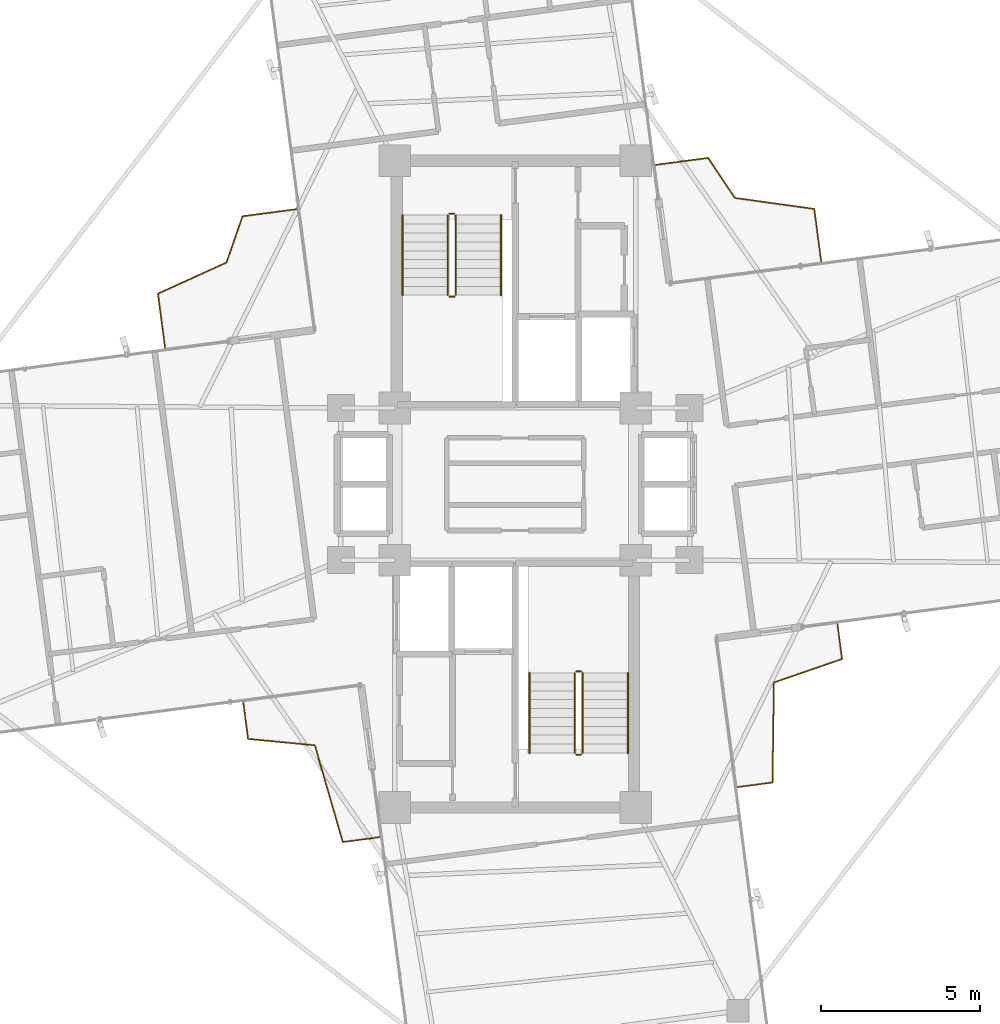
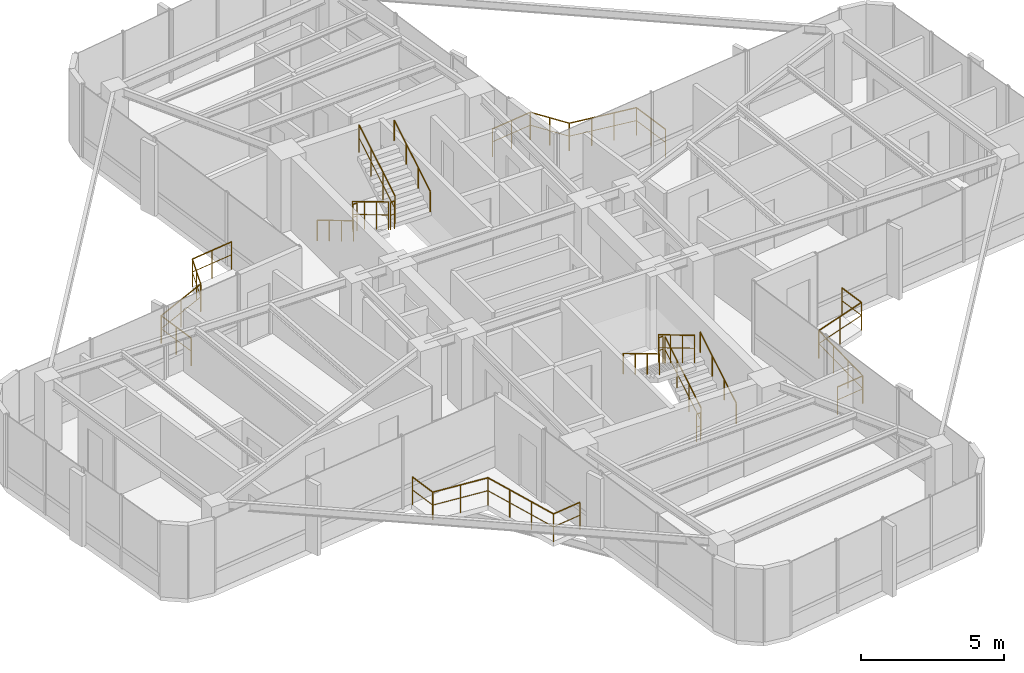
# One storey, part 21 of 21: 16 railings.
"""IFC4 building model written with IfcOpenShell, lengths in metres."""

from ifc_helpers import new_model, si_unit, direction, frame, origin, origin_2d, place, context, subcontext, project, spatial, circle, extrude, material, type_object, element, save


model = new_model("IFC4")

# Units and contexts
model_context = context("Model", 3, precision=1e-05, world=origin(), true_north=direction((0.0, 1.0)))
body_context = subcontext(model_context, "Body", "Model", "MODEL_VIEW")
ifc_project = project(units=[si_unit("LENGTHUNIT", "METRE"), si_unit("AREAUNIT", "SQUARE_METRE"), si_unit("VOLUMEUNIT", "CUBIC_METRE"), si_unit("PLANEANGLEUNIT", "RADIAN"), si_unit("MASSUNIT", "GRAM", prefix="KILO")], contexts=[model_context])

# Site, building, storey
site_placement = place(None, origin())
site = spatial("IfcSite", under=ifc_project, at=site_placement, CompositionType="ELEMENT")
building_placement = place(site_placement, origin())
building = spatial("IfcBuilding", under=site, at=building_placement, Name="Sahyath Konkavel Grand Hotel", CompositionType="ELEMENT")
storey_placement = place(building_placement, frame((0.0, 0.0, 219.89990234375)))
storey = spatial("IfcBuildingStorey", under=building, at=storey_placement, Name="L61", CompositionType="ELEMENT", Elevation=219.89990234375)

# Railings
ifc_material_1 = material(Name="Anodised Bronze Aluminium", Category="aluminium")
railing_type_1 = type_object("IfcRailingType", Name="RLG-BALC-1200", PredefinedType="GUARDRAIL", material=ifc_material_1)
railing_1_placement = place(storey_placement, frame((9.650390625, 7.025634765625, 0.0)))
element("IfcRailing", 1, at=railing_1_placement, inside=storey, type_object=railing_type_1, Name="L61 Winter-Garden Guard NE", PredefinedType="GUARDRAIL", context=body_context, shape_type="SweptSolid", body=[
    extrude(circle(Radius=0.02392578125, at=origin_2d()), frame((-0.000244140625, 0.001953125, 1.17578125), z_axis=(-0.130496140624, 0.991448817278, 0.0), x_axis=(-0.991448817278, -0.130496140624, 0.0)), (0.0, 0.0, 1.0), 1.664794921875),
    extrude(circle(Radius=0.01416015625, at=origin_2d()), frame((-0.000244140625, 0.001953125, 0.6240234375), z_axis=(-0.130496140624, 0.991448817278, 0.0), x_axis=(-0.991448817278, -0.130496140624, 0.0)), (0.0, 0.0, 1.0), 1.664794921875),
    extrude(circle(Radius=0.02392578125, at=origin_2d()), frame((-0.2197265625, 1.65478515625, 1.17578125), z_axis=(-0.990465946821, 0.13775778812, 0.0), x_axis=(-0.13775778812, -0.990465946821, 0.0)), (0.0, 0.0, 1.0), 2.52490234375),
    extrude(circle(Radius=0.01416015625, at=origin_2d()), frame((-0.2197265625, 1.65478515625, 0.6240234375), z_axis=(-0.990465946821, 0.13775778812, 0.0), x_axis=(-0.13775778812, -0.990465946821, 0.0)), (0.0, 0.0, 1.0), 2.52490234375),
    extrude(circle(Radius=0.02392578125, at=origin_2d()), frame((-2.723876953125, 2.004638671875, 1.17578125), z_axis=(-0.556370379602, 0.830934414199, 0.0), x_axis=(-0.830934414199, -0.556370379602, 0.0)), (0.0, 0.0, 1.0), 1.512939453125),
    extrude(circle(Radius=0.01416015625, at=origin_2d()), frame((-2.723876953125, 2.004638671875, 0.6240234375), z_axis=(-0.556370379602, 0.830934414199, 0.0), x_axis=(-0.830934414199, -0.556370379602, 0.0)), (0.0, 0.0, 1.0), 1.512939453125),
    extrude(circle(Radius=0.02392578125, at=origin_2d()), frame((-3.568603515625, 3.26318359375, 1.17578125), z_axis=(-0.991448817278, -0.130496140624, 0.0), x_axis=(0.130496140624, -0.991448817278, 0.0)), (0.0, 0.0, 1.0), 1.664794921875),
    extrude(circle(Radius=0.01416015625, at=origin_2d()), frame((-3.568603515625, 3.26318359375, 0.6240234375), z_axis=(-0.991448817278, -0.130496140624, 0.0), x_axis=(0.130496140624, -0.991448817278, 0.0)), (0.0, 0.0, 1.0), 1.664794921875),
    extrude(circle(Radius=0.02099609375, at=origin_2d()), origin(), (0.0, 0.0, 1.0), 1.15185546875),
    extrude(circle(Radius=0.02099609375, at=origin_2d()), frame((-0.10888671875, 0.8271484375, 0.0)), (0.0, 0.0, 1.0), 1.15185546875),
    extrude(circle(Radius=0.02099609375, at=origin_2d()), frame((-0.2177734375, 1.654541015625, 0.0)), (0.0, 0.0, 1.0), 1.15185546875),
    extrude(circle(Radius=0.02099609375, at=origin_2d()), frame((-1.052734375, 1.770751953125, 0.0)), (0.0, 0.0, 1.0), 1.15185546875),
    extrude(circle(Radius=0.02099609375, at=origin_2d()), frame((-1.8876953125, 1.88671875, 0.0)), (0.0, 0.0, 1.0), 1.15185546875),
    extrude(circle(Radius=0.02099609375, at=origin_2d()), frame((-2.72265625, 2.0029296875, 0.0)), (0.0, 0.0, 1.0), 1.15185546875),
    extrude(circle(Radius=0.02099609375, at=origin_2d()), frame((-3.14453125, 2.63330078125, 0.0)), (0.0, 0.0, 1.0), 1.15185546875),
    extrude(circle(Radius=0.02099609375, at=origin_2d()), frame((-3.566650390625, 3.263427734375, 0.0)), (0.0, 0.0, 1.0), 1.15185546875),
    extrude(circle(Radius=0.02099609375, at=origin_2d()), frame((-4.39404296875, 3.154541015625, 0.0)), (0.0, 0.0, 1.0), 1.15185546875),
    extrude(circle(Radius=0.02099609375, at=origin_2d()), frame((-5.22119140625, 3.045654296875, 0.0)), (0.0, 0.0, 1.0), 1.15185546875),
])
railing_2_placement = place(storey_placement, frame((-6.897216796875, 8.674072265625, 0.0)))
element("IfcRailing", 2, at=railing_2_placement, inside=storey, type_object=railing_type_1, Name="L61 Winter-Garden Guard NW", PredefinedType="GUARDRAIL", context=body_context, shape_type="SweptSolid", body=[
    extrude(circle(Radius=0.02392578125, at=origin_2d()), frame((-0.001953125, -0.000244140625, 1.17578125), z_axis=(-0.991431107299, -0.130630622292, 0.0), x_axis=(0.130630622292, -0.991431107299, 0.0)), (0.0, 0.0, 1.0), 1.71728515625),
    extrude(circle(Radius=0.01416015625, at=origin_2d()), frame((-0.001953125, -0.000244140625, 0.6240234375), z_axis=(-0.991431107299, -0.130630622292, 0.0), x_axis=(0.130630622292, -0.991431107299, 0.0)), (0.0, 0.0, 1.0), 1.71728515625),
    extrude(circle(Radius=0.02392578125, at=origin_2d()), frame((-1.707275390625, -0.226806640625, 1.17578125), z_axis=(-0.328109681789, -0.944639633255, 0.0), x_axis=(0.944639633255, -0.328109681789, 0.0)), (0.0, 0.0, 1.0), 1.5400390625),
    extrude(circle(Radius=0.01416015625, at=origin_2d()), frame((-1.707275390625, -0.226806640625, 0.6240234375), z_axis=(-0.328109681789, -0.944639633255, 0.0), x_axis=(0.944639633255, -0.328109681789, 0.0)), (0.0, 0.0, 1.0), 1.5400390625),
    extrude(circle(Radius=0.02392578125, at=origin_2d()), frame((-2.21484375, -1.68408203125, 1.17578125), z_axis=(-0.910267890255, -0.414019767609, 0.0), x_axis=(0.414019767609, -0.910267890255, 0.0)), (0.0, 0.0, 1.0), 2.371337890625),
    extrude(circle(Radius=0.01416015625, at=origin_2d()), frame((-2.21484375, -1.68408203125, 0.6240234375), z_axis=(-0.910267890255, -0.414019767609, 0.0), x_axis=(0.414019767609, -0.910267890255, 0.0)), (0.0, 0.0, 1.0), 2.371337890625),
    extrude(circle(Radius=0.02392578125, at=origin_2d()), frame((-4.375, -2.668701171875, 1.17578125), z_axis=(0.130491203115, -0.991449467149, 0.0), x_axis=(0.991449467149, 0.130491203115, 0.0)), (0.0, 0.0, 1.0), 1.71728515625),
    extrude(circle(Radius=0.01416015625, at=origin_2d()), frame((-4.375, -2.668701171875, 0.6240234375), z_axis=(0.130491203115, -0.991449467149, 0.0), x_axis=(0.991449467149, 0.130491203115, 0.0)), (0.0, 0.0, 1.0), 1.71728515625),
    extrude(circle(Radius=0.02099609375, at=origin_2d()), origin(), (0.0, 0.0, 1.0), 1.15185546875),
    extrude(circle(Radius=0.02099609375, at=origin_2d()), frame((-0.853271484375, -0.1123046875, 0.0)), (0.0, 0.0, 1.0), 1.15185546875),
    extrude(circle(Radius=0.02099609375, at=origin_2d()), frame((-1.70654296875, -0.224853515625, 0.0)), (0.0, 0.0, 1.0), 1.15185546875),
    extrude(circle(Radius=0.02099609375, at=origin_2d()), frame((-1.9599609375, -0.9541015625, 0.0)), (0.0, 0.0, 1.0), 1.15185546875),
    extrude(circle(Radius=0.02099609375, at=origin_2d()), frame((-2.213134765625, -1.683349609375, 0.0)), (0.0, 0.0, 1.0), 1.15185546875),
    extrude(circle(Radius=0.02099609375, at=origin_2d()), frame((-3.294189453125, -2.175048828125, 0.0)), (0.0, 0.0, 1.0), 1.15185546875),
    extrude(circle(Radius=0.02099609375, at=origin_2d()), frame((-4.375244140625, -2.666748046875, 0.0)), (0.0, 0.0, 1.0), 1.15185546875),
    extrude(circle(Radius=0.02099609375, at=origin_2d()), frame((-4.262939453125, -3.52001953125, 0.0)), (0.0, 0.0, 1.0), 1.15185546875),
    extrude(circle(Radius=0.02099609375, at=origin_2d()), frame((-4.150634765625, -4.373291015625, 0.0)), (0.0, 0.0, 1.0), 1.15185546875),
])
railing_3_placement = place(storey_placement, frame((-8.581787109375, -6.885009765625, 0.0)))
element("IfcRailing", 3, at=railing_3_placement, inside=storey, type_object=railing_type_1, Name="L61 Winter-Garden Guard SW", PredefinedType="GUARDRAIL", context=body_context, shape_type="SweptSolid", body=[
    extrude(circle(Radius=0.02392578125, at=origin_2d()), frame((0.000244140625, -0.001953125, 1.17578125), z_axis=(0.130541376023, -0.99144286227, 0.0), x_axis=(0.99144286227, 0.130541376023, 0.0)), (0.0, 0.0, 1.0), 1.1591796875),
    extrude(circle(Radius=0.01416015625, at=origin_2d()), frame((0.000244140625, -0.001953125, 0.6240234375), z_axis=(0.130541376023, -0.99144286227, 0.0), x_axis=(0.99144286227, 0.130541376023, 0.0)), (0.0, 0.0, 1.0), 1.1591796875),
    extrude(circle(Radius=0.02392578125, at=origin_2d()), frame((0.15380859375, -1.153564453125, 1.17578125), z_axis=(0.995404800606, -0.095756372798, 0.0), x_axis=(0.095756372798, 0.995404800606, 0.0)), (0.0, 0.0, 1.0), 2.112060546875),
    extrude(circle(Radius=0.01416015625, at=origin_2d()), frame((0.15380859375, -1.153564453125, 0.6240234375), z_axis=(0.995404800606, -0.095756372798, 0.0), x_axis=(0.095756372798, 0.995404800606, 0.0)), (0.0, 0.0, 1.0), 2.112060546875),
    extrude(circle(Radius=0.02392578125, at=origin_2d()), frame((2.2587890625, -1.35791015625, 1.17578125), z_axis=(0.277593261207, -0.960698694353, 0.0), x_axis=(0.960698694353, 0.277593261207, 0.0)), (0.0, 0.0, 1.0), 3.171875),
    extrude(circle(Radius=0.01416015625, at=origin_2d()), frame((2.2587890625, -1.35791015625, 0.6240234375), z_axis=(0.277593261207, -0.960698694353, 0.0), x_axis=(0.960698694353, 0.277593261207, 0.0)), (0.0, 0.0, 1.0), 3.171875),
    extrude(circle(Radius=0.02392578125, at=origin_2d()), frame((3.141845703125, -4.40673828125, 1.17578125), z_axis=(0.99144286227, 0.130541376023, 0.0), x_axis=(-0.130541376023, 0.99144286227, 0.0)), (0.0, 0.0, 1.0), 1.1591796875),
    extrude(circle(Radius=0.01416015625, at=origin_2d()), frame((3.141845703125, -4.40673828125, 0.6240234375), z_axis=(0.99144286227, 0.130541376023, 0.0), x_axis=(-0.130541376023, 0.99144286227, 0.0)), (0.0, 0.0, 1.0), 1.1591796875),
    extrude(circle(Radius=0.02099609375, at=origin_2d()), origin(), (0.0, 0.0, 1.0), 1.15185546875),
    extrude(circle(Radius=0.02099609375, at=origin_2d()), frame((0.15185546875, -1.1533203125, 0.0)), (0.0, 0.0, 1.0), 1.15185546875),
    extrude(circle(Radius=0.02099609375, at=origin_2d()), frame((1.205078125, -1.254638671875, 0.0)), (0.0, 0.0, 1.0), 1.15185546875),
    extrude(circle(Radius=0.02099609375, at=origin_2d()), frame((2.25830078125, -1.35595703125, 0.0)), (0.0, 0.0, 1.0), 1.15185546875),
    extrude(circle(Radius=0.02099609375, at=origin_2d()), frame((2.55224609375, -2.373046875, 0.0)), (0.0, 0.0, 1.0), 1.15185546875),
    extrude(circle(Radius=0.02099609375, at=origin_2d()), frame((2.845947265625, -3.389892578125, 0.0)), (0.0, 0.0, 1.0), 1.15185546875),
    extrude(circle(Radius=0.02099609375, at=origin_2d()), frame((3.139892578125, -4.406982421875, 0.0)), (0.0, 0.0, 1.0), 1.15185546875),
    extrude(circle(Radius=0.02099609375, at=origin_2d()), frame((4.293212890625, -4.255126953125, 0.0)), (0.0, 0.0, 1.0), 1.15185546875),
])
railing_4_placement = place(storey_placement, frame((7.013671875, -9.558349609375, 0.0)))
element("IfcRailing", 4, at=railing_4_placement, inside=storey, type_object=railing_type_1, Name="L61 Winter-Garden Guard SE", PredefinedType="GUARDRAIL", context=body_context, shape_type="SweptSolid", body=[
    extrude(circle(Radius=0.02392578125, at=origin_2d()), frame((0.001953125, 0.000244140625, 1.17578125), z_axis=(0.991437826512, 0.130579616175, 0.0), x_axis=(-0.130579616175, 0.991437826512, 0.0)), (0.0, 0.0, 1.0), 1.106689453125),
    extrude(circle(Radius=0.01416015625, at=origin_2d()), frame((0.001953125, 0.000244140625, 0.6240234375), z_axis=(0.991437826512, 0.130579616175, 0.0), x_axis=(-0.130579616175, 0.991437826512, 0.0)), (0.0, 0.0, 1.0), 1.106689453125),
    extrude(circle(Radius=0.02392578125, at=origin_2d()), frame((1.10107421875, 0.14697265625, 1.17578125), z_axis=(0.014014420363, 0.999901793189, 0.0), x_axis=(-0.999901793189, 0.014014420363, 0.0)), (0.0, 0.0, 1.0), 3.149169921875),
    extrude(circle(Radius=0.01416015625, at=origin_2d()), frame((1.10107421875, 0.14697265625, 0.6240234375), z_axis=(0.014014420363, 0.999901793189, 0.0), x_axis=(-0.999901793189, 0.014014420363, 0.0)), (0.0, 0.0, 1.0), 3.149169921875),
    extrude(circle(Radius=0.02392578125, at=origin_2d()), frame((1.147216796875, 3.298583984375, 1.17578125), z_axis=(0.945247418664, 0.326354588613, 0.0), x_axis=(-0.326354588613, 0.945247418664, 0.0)), (0.0, 0.0, 1.0), 2.270263671875),
    extrude(circle(Radius=0.01416015625, at=origin_2d()), frame((1.147216796875, 3.298583984375, 0.6240234375), z_axis=(0.945247418664, 0.326354588613, 0.0), x_axis=(-0.326354588613, 0.945247418664, 0.0)), (0.0, 0.0, 1.0), 2.270263671875),
    extrude(circle(Radius=0.02392578125, at=origin_2d()), frame((3.294677734375, 4.0419921875, 1.17578125), z_axis=(-0.130551162655, 0.991441573634, 0.0), x_axis=(-0.991441573634, -0.130551162655, 0.0)), (0.0, 0.0, 1.0), 1.10693359375),
    extrude(circle(Radius=0.01416015625, at=origin_2d()), frame((3.294677734375, 4.0419921875, 0.6240234375), z_axis=(-0.130551162655, 0.991441573634, 0.0), x_axis=(-0.991441573634, -0.130551162655, 0.0)), (0.0, 0.0, 1.0), 1.10693359375),
    extrude(circle(Radius=0.02099609375, at=origin_2d()), origin(), (0.0, 0.0, 1.0), 1.15185546875),
    extrude(circle(Radius=0.02099609375, at=origin_2d()), frame((1.10107421875, 0.14501953125, 0.0)), (0.0, 0.0, 1.0), 1.15185546875),
    extrude(circle(Radius=0.02099609375, at=origin_2d()), frame((1.11572265625, 1.196044921875, 0.0)), (0.0, 0.0, 1.0), 1.15185546875),
    extrude(circle(Radius=0.02099609375, at=origin_2d()), frame((1.130615234375, 2.246826171875, 0.0)), (0.0, 0.0, 1.0), 1.15185546875),
    extrude(circle(Radius=0.02099609375, at=origin_2d()), frame((1.145263671875, 3.2978515625, 0.0)), (0.0, 0.0, 1.0), 1.15185546875),
    extrude(circle(Radius=0.02099609375, at=origin_2d()), frame((2.22021484375, 3.6689453125, 0.0)), (0.0, 0.0, 1.0), 1.15185546875),
    extrude(circle(Radius=0.02099609375, at=origin_2d()), frame((3.294921875, 4.0400390625, 0.0)), (0.0, 0.0, 1.0), 1.15185546875),
    extrude(circle(Radius=0.02099609375, at=origin_2d()), frame((3.14990234375, 5.141357421875, 0.0)), (0.0, 0.0, 1.0), 1.15185546875),
])
ifc_material_2 = material(Name="Steel E350", Category="steel")
railing_type_2 = type_object("IfcRailingType", Name="RLG-STAIR-GRD", PredefinedType="GUARDRAIL", material=ifc_material_2)
railing_5_placement = place(storey_placement, frame((-2.1298828125, 8.47998046875, 0.16748046875)))
element("IfcRailing", 5, at=railing_5_placement, inside=storey, type_object=railing_type_2, Name="L61 ST-1 stair guard 1", PredefinedType="GUARDRAIL", context=body_context, shape_type="SweptSolid", body=[
    extrude(circle(Radius=0.02392578125, at=origin_2d()), frame((0.0, -0.001708984375, 1.177001953125), z_axis=(0.0, -0.858159760407, 0.513382728203), x_axis=(1.0, 0.0, 0.0)), (0.0, 0.0, 1.0), 2.9326171875),
    extrude(circle(Radius=0.01416015625, at=origin_2d()), frame((0.0, -0.001708984375, 0.625), z_axis=(0.0, -0.858159760407, 0.513382728203), x_axis=(1.0, 0.0, 0.0)), (0.0, 0.0, 1.0), 2.9326171875),
    extrude(circle(Radius=0.02099609375, at=origin_2d()), origin(), (0.0, 0.0, 1.0), 1.15185546875),
    extrude(circle(Radius=0.02099609375, at=origin_2d()), frame((0.0, -0.840087890625, 0.50244140625)), (0.0, 0.0, 1.0), 1.15185546875),
    extrude(circle(Radius=0.02099609375, at=origin_2d()), frame((0.0, -1.679931640625, 1.005126953125)), (0.0, 0.0, 1.0), 1.15185546875),
    extrude(circle(Radius=0.02099609375, at=origin_2d()), frame((0.0, -2.52001953125, 1.507568359375)), (0.0, 0.0, 1.0), 1.15185546875),
])
railing_6_placement = place(storey_placement, frame((-2.080078125, 5.909912109375, 1.675048828125)))
element("IfcRailing", 6, at=railing_6_placement, inside=storey, type_object=railing_type_2, Name="L61 ST-1 stair guard 2", PredefinedType="GUARDRAIL", context=body_context, shape_type="SweptSolid", body=[
    extrude(circle(Radius=0.02392578125, at=origin_2d()), frame((0.001953125, 0.0, 1.17578125), z_axis=(1.0, 0.0, 0.0), x_axis=(0.0, 1.0, 0.0)), (0.0, 0.0, 1.0), 0.15625),
    extrude(circle(Radius=0.01416015625, at=origin_2d()), frame((0.001953125, 0.0, 0.6240234375), z_axis=(1.0, 0.0, 0.0), x_axis=(0.0, 1.0, 0.0)), (0.0, 0.0, 1.0), 0.15625),
    extrude(circle(Radius=0.02099609375, at=origin_2d()), origin(), (0.0, 0.0, 1.0), 1.15185546875),
    extrude(circle(Radius=0.02099609375, at=origin_2d()), frame((0.16015625, 0.0, 0.0)), (0.0, 0.0, 1.0), 1.15185546875),
])
railing_7_placement = place(storey_placement, frame((-1.8701171875, 5.9599609375, 1.842529296875)))
element("IfcRailing", 7, at=railing_7_placement, inside=storey, type_object=railing_type_2, Name="L61 ST-1 stair guard 3", PredefinedType="GUARDRAIL", context=body_context, shape_type="SweptSolid", body=[
    extrude(circle(Radius=0.02392578125, at=origin_2d()), frame((0.0, 0.001708984375, 1.177001953125), z_axis=(0.0, 0.858159760407, 0.513382728203), x_axis=(-1.0, 0.0, 0.0)), (0.0, 0.0, 1.0), 2.9326171875),
    extrude(circle(Radius=0.01416015625, at=origin_2d()), frame((0.0, 0.001708984375, 0.625), z_axis=(0.0, 0.858159760407, 0.513382728203), x_axis=(-1.0, 0.0, 0.0)), (0.0, 0.0, 1.0), 2.9326171875),
    extrude(circle(Radius=0.02099609375, at=origin_2d()), origin(), (0.0, 0.0, 1.0), 1.15185546875),
    extrude(circle(Radius=0.02099609375, at=origin_2d()), frame((0.0, 0.840087890625, 0.50244140625)), (0.0, 0.0, 1.0), 1.15185546875),
    extrude(circle(Radius=0.02099609375, at=origin_2d()), frame((0.0, 1.679931640625, 1.005126953125)), (0.0, 0.0, 1.0), 1.15185546875),
    extrude(circle(Radius=0.02099609375, at=origin_2d()), frame((0.0, 2.52001953125, 1.507568359375)), (0.0, 0.0, 1.0), 1.15185546875),
])
railing_8_placement = place(storey_placement, frame((-2.080078125, 8.530029296875, 0.0)))
element("IfcRailing", 8, at=railing_8_placement, inside=storey, type_object=railing_type_2, Name="L61 ST-1 stair guard 4", PredefinedType="GUARDRAIL", context=body_context, shape_type="SweptSolid", body=[
    extrude(circle(Radius=0.02392578125, at=origin_2d()), frame((0.001953125, 0.0, 1.17578125), z_axis=(1.0, 0.0, 0.0), x_axis=(0.0, 1.0, 0.0)), (0.0, 0.0, 1.0), 0.15625),
    extrude(circle(Radius=0.01416015625, at=origin_2d()), frame((0.001953125, 0.0, 0.6240234375), z_axis=(1.0, 0.0, 0.0), x_axis=(0.0, 1.0, 0.0)), (0.0, 0.0, 1.0), 0.15625),
    extrude(circle(Radius=0.02099609375, at=origin_2d()), origin(), (0.0, 0.0, 1.0), 1.15185546875),
    extrude(circle(Radius=0.02099609375, at=origin_2d()), frame((0.16015625, 0.0, 0.0)), (0.0, 0.0, 1.0), 1.15185546875),
])
railing_9_placement = place(storey_placement, frame((2.1298828125, -8.47998046875, 0.16748046875)))
element("IfcRailing", 9, at=railing_9_placement, inside=storey, type_object=railing_type_2, Name="L61 ST-2 stair guard 1", PredefinedType="GUARDRAIL", context=body_context, shape_type="SweptSolid", body=[
    extrude(circle(Radius=0.02392578125, at=origin_2d()), frame((0.0, 0.001708984375, 1.177001953125), z_axis=(0.0, 0.858159760407, 0.513382728203), x_axis=(-1.0, 0.0, 0.0)), (0.0, 0.0, 1.0), 2.9326171875),
    extrude(circle(Radius=0.01416015625, at=origin_2d()), frame((0.0, 0.001708984375, 0.625), z_axis=(0.0, 0.858159760407, 0.513382728203), x_axis=(-1.0, 0.0, 0.0)), (0.0, 0.0, 1.0), 2.9326171875),
    extrude(circle(Radius=0.02099609375, at=origin_2d()), origin(), (0.0, 0.0, 1.0), 1.15185546875),
    extrude(circle(Radius=0.02099609375, at=origin_2d()), frame((0.0, 0.840087890625, 0.50244140625)), (0.0, 0.0, 1.0), 1.15185546875),
    extrude(circle(Radius=0.02099609375, at=origin_2d()), frame((0.0, 1.679931640625, 1.005126953125)), (0.0, 0.0, 1.0), 1.15185546875),
    extrude(circle(Radius=0.02099609375, at=origin_2d()), frame((0.0, 2.52001953125, 1.507568359375)), (0.0, 0.0, 1.0), 1.15185546875),
])
railing_10_placement = place(storey_placement, frame((2.080078125, -5.909912109375, 1.675048828125)))
element("IfcRailing", 10, at=railing_10_placement, inside=storey, type_object=railing_type_2, Name="L61 ST-2 stair guard 2", PredefinedType="GUARDRAIL", context=body_context, shape_type="SweptSolid", body=[
    extrude(circle(Radius=0.02392578125, at=origin_2d()), frame((-0.001953125, 0.0, 1.17578125), z_axis=(-1.0, 0.0, 0.0), x_axis=(0.0, -1.0, 0.0)), (0.0, 0.0, 1.0), 0.15625),
    extrude(circle(Radius=0.01416015625, at=origin_2d()), frame((-0.001953125, 0.0, 0.6240234375), z_axis=(-1.0, 0.0, 0.0), x_axis=(0.0, -1.0, 0.0)), (0.0, 0.0, 1.0), 0.15625),
    extrude(circle(Radius=0.02099609375, at=origin_2d()), origin(), (0.0, 0.0, 1.0), 1.15185546875),
    extrude(circle(Radius=0.02099609375, at=origin_2d()), frame((-0.16015625, 0.0, 0.0)), (0.0, 0.0, 1.0), 1.15185546875),
])
railing_11_placement = place(storey_placement, frame((1.8701171875, -5.9599609375, 1.842529296875)))
element("IfcRailing", 11, at=railing_11_placement, inside=storey, type_object=railing_type_2, Name="L61 ST-2 stair guard 3", PredefinedType="GUARDRAIL", context=body_context, shape_type="SweptSolid", body=[
    extrude(circle(Radius=0.02392578125, at=origin_2d()), frame((0.0, -0.001708984375, 1.177001953125), z_axis=(0.0, -0.858159760407, 0.513382728203), x_axis=(1.0, 0.0, 0.0)), (0.0, 0.0, 1.0), 2.9326171875),
    extrude(circle(Radius=0.01416015625, at=origin_2d()), frame((0.0, -0.001708984375, 0.625), z_axis=(0.0, -0.858159760407, 0.513382728203), x_axis=(1.0, 0.0, 0.0)), (0.0, 0.0, 1.0), 2.9326171875),
    extrude(circle(Radius=0.02099609375, at=origin_2d()), origin(), (0.0, 0.0, 1.0), 1.15185546875),
    extrude(circle(Radius=0.02099609375, at=origin_2d()), frame((0.0, -0.840087890625, 0.50244140625)), (0.0, 0.0, 1.0), 1.15185546875),
    extrude(circle(Radius=0.02099609375, at=origin_2d()), frame((0.0, -1.679931640625, 1.005126953125)), (0.0, 0.0, 1.0), 1.15185546875),
    extrude(circle(Radius=0.02099609375, at=origin_2d()), frame((0.0, -2.52001953125, 1.507568359375)), (0.0, 0.0, 1.0), 1.15185546875),
])
railing_12_placement = place(storey_placement, frame((2.080078125, -8.530029296875, 0.0)))
element("IfcRailing", 12, at=railing_12_placement, inside=storey, type_object=railing_type_2, Name="L61 ST-2 stair guard 4", PredefinedType="GUARDRAIL", context=body_context, shape_type="SweptSolid", body=[
    extrude(circle(Radius=0.02392578125, at=origin_2d()), frame((-0.001953125, 0.0, 1.17578125), z_axis=(-1.0, 0.0, 0.0), x_axis=(0.0, -1.0, 0.0)), (0.0, 0.0, 1.0), 0.15625),
    extrude(circle(Radius=0.01416015625, at=origin_2d()), frame((-0.001953125, 0.0, 0.6240234375), z_axis=(-1.0, 0.0, 0.0), x_axis=(0.0, -1.0, 0.0)), (0.0, 0.0, 1.0), 0.15625),
    extrude(circle(Radius=0.02099609375, at=origin_2d()), origin(), (0.0, 0.0, 1.0), 1.15185546875),
    extrude(circle(Radius=0.02099609375, at=origin_2d()), frame((-0.16015625, 0.0, 0.0)), (0.0, 0.0, 1.0), 1.15185546875),
])
railing_type_3 = type_object("IfcRailingType", Name="RLG-STAIR-HND", PredefinedType="HANDRAIL", material=ifc_material_1)
railing_13_placement = place(storey_placement, frame((-3.550048828125, 8.47998046875, 0.16748046875)))
element("IfcRailing", 13, at=railing_13_placement, inside=storey, type_object=railing_type_3, Name="L61 ST-1 stair handrail 1", PredefinedType="HANDRAIL", context=body_context, shape_type="SweptSolid", body=[
    extrude(circle(Radius=0.02392578125, at=origin_2d()), frame((0.0, -0.001708984375, 0.876953125), z_axis=(0.0, -0.858159760407, 0.513382728203), x_axis=(1.0, 0.0, 0.0)), (0.0, 0.0, 1.0), 2.9326171875),
    extrude(circle(Radius=0.02099609375, at=origin_2d()), origin(), (0.0, 0.0, 1.0), 0.851806640625),
    extrude(circle(Radius=0.02099609375, at=origin_2d()), frame((0.0, -0.840087890625, 0.50244140625)), (0.0, 0.0, 1.0), 0.851806640625),
    extrude(circle(Radius=0.02099609375, at=origin_2d()), frame((0.0, -1.679931640625, 1.005126953125)), (0.0, 0.0, 1.0), 0.851806640625),
    extrude(circle(Radius=0.02099609375, at=origin_2d()), frame((0.0, -2.52001953125, 1.507568359375)), (0.0, 0.0, 1.0), 0.851806640625),
])
for number, where, name in (
    (14, (-0.449951171875, 5.9599609375, 1.842529296875), "L61 ST-1 stair handrail 2"),
    (15, (3.550048828125, -8.47998046875, 0.16748046875), "L61 ST-2 stair handrail 1"),
):
    element("IfcRailing", number, at=place(storey_placement, frame(where)), inside=storey, type_object=railing_type_3, Name=name, PredefinedType="HANDRAIL", context=body_context, shape_type="SweptSolid", body=[
        extrude(circle(Radius=0.02392578125, at=origin_2d()), frame((0.0, 0.001708984375, 0.876953125), z_axis=(0.0, 0.858159760407, 0.513382728203), x_axis=(-1.0, 0.0, 0.0)), (0.0, 0.0, 1.0), 2.9326171875),
        extrude(circle(Radius=0.02099609375, at=origin_2d()), origin(), (0.0, 0.0, 1.0), 0.851806640625),
        extrude(circle(Radius=0.02099609375, at=origin_2d()), frame((0.0, 0.840087890625, 0.50244140625)), (0.0, 0.0, 1.0), 0.851806640625),
        extrude(circle(Radius=0.02099609375, at=origin_2d()), frame((0.0, 1.679931640625, 1.005126953125)), (0.0, 0.0, 1.0), 0.851806640625),
        extrude(circle(Radius=0.02099609375, at=origin_2d()), frame((0.0, 2.52001953125, 1.507568359375)), (0.0, 0.0, 1.0), 0.851806640625),
    ])
railing_14_placement = place(storey_placement, frame((0.449951171875, -5.9599609375, 1.842529296875)))
element("IfcRailing", 16, at=railing_14_placement, inside=storey, type_object=railing_type_3, Name="L61 ST-2 stair handrail 2", PredefinedType="HANDRAIL", context=body_context, shape_type="SweptSolid", body=[
    extrude(circle(Radius=0.02392578125, at=origin_2d()), frame((0.0, -0.001708984375, 0.876953125), z_axis=(0.0, -0.858159760407, 0.513382728203), x_axis=(1.0, 0.0, 0.0)), (0.0, 0.0, 1.0), 2.9326171875),
    extrude(circle(Radius=0.02099609375, at=origin_2d()), origin(), (0.0, 0.0, 1.0), 0.851806640625),
    extrude(circle(Radius=0.02099609375, at=origin_2d()), frame((0.0, -0.840087890625, 0.50244140625)), (0.0, 0.0, 1.0), 0.851806640625),
    extrude(circle(Radius=0.02099609375, at=origin_2d()), frame((0.0, -1.679931640625, 1.005126953125)), (0.0, 0.0, 1.0), 0.851806640625),
    extrude(circle(Radius=0.02099609375, at=origin_2d()), frame((0.0, -2.52001953125, 1.507568359375)), (0.0, 0.0, 1.0), 0.851806640625),
])

save(model, "model.ifc")
